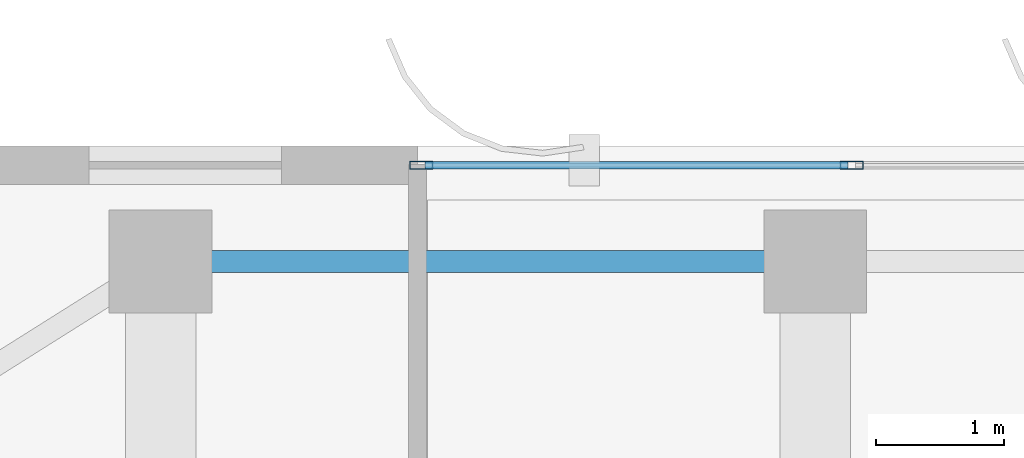
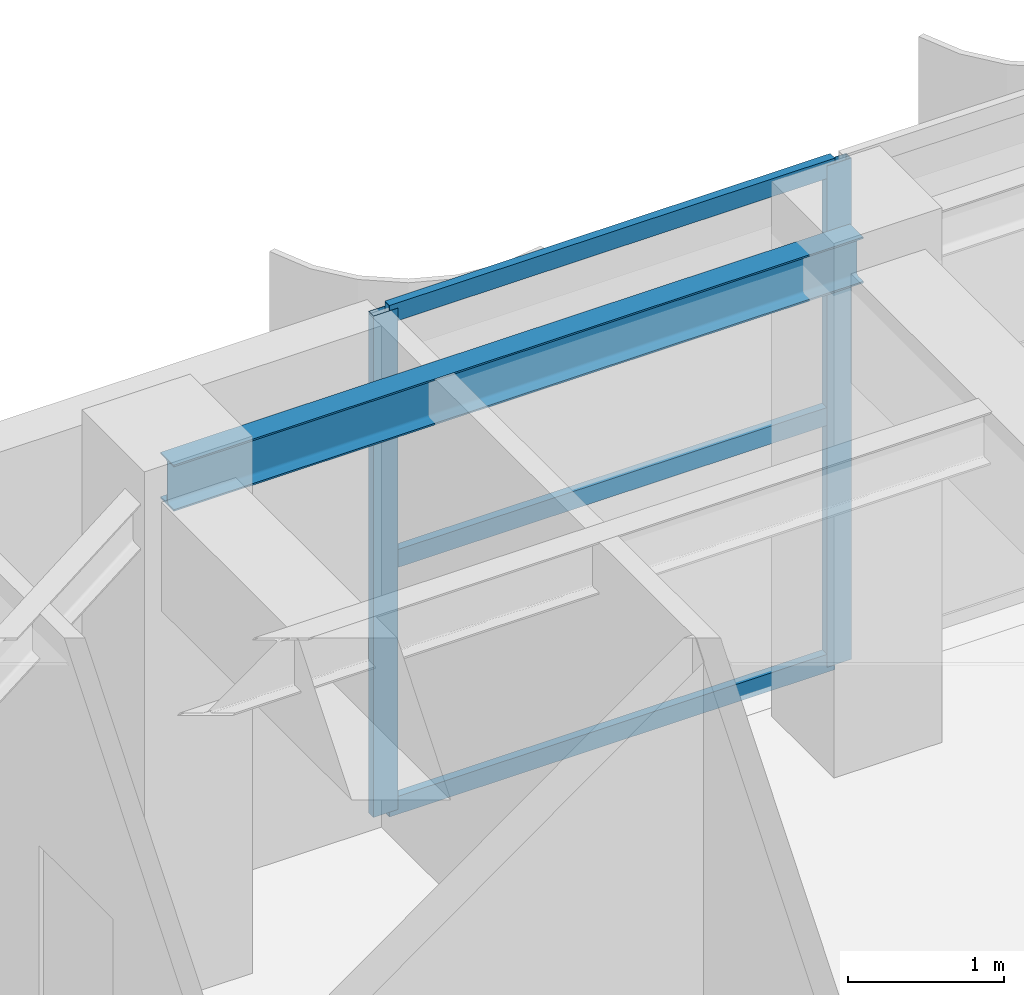
# One storey, part 9 of 19: 5 members, 1 beam, 1 element without a shape of its own.
"""IFC4 building model written with IfcOpenShell, lengths in metres."""

from ifc_helpers import new_model, si_unit, direction, frame, origin, origin_2d, place, context, subcontext, project, spatial, hollow_rectangle, i_section, extrude, source, transform, mapped, material, layer, layer_set, material_profile, profile_set, type_object, element, aggregate, save


model = new_model("IFC4")

# Units and contexts
model_context = context("Model", 3, precision=1e-05, world=origin(), true_north=direction((0.0, 1.0)))
body_context = subcontext(model_context, "Body", "Model", "MODEL_VIEW")
ifc_project = project(units=[si_unit("LENGTHUNIT", "METRE"), si_unit("AREAUNIT", "SQUARE_METRE"), si_unit("VOLUMEUNIT", "CUBIC_METRE"), si_unit("PLANEANGLEUNIT", "RADIAN"), si_unit("MASSUNIT", "GRAM", prefix="KILO")], contexts=[model_context])

# Site, building, storey
site_placement = place(None, origin())
site = spatial("IfcSite", under=ifc_project, at=site_placement, CompositionType="ELEMENT")
building_placement = place(site_placement, origin())
building = spatial("IfcBuilding", under=site, at=building_placement, Name="Khoralis Quay Care Tower", CompositionType="ELEMENT")
storey_placement = place(building_placement, frame((0.0, 0.0, 285.300048828125)))
storey = spatial("IfcBuildingStorey", under=building, at=storey_placement, Name="L75", CompositionType="ELEMENT", Elevation=285.300048828125)

# Beam
ifc_material_1 = material(Name="Steel S355", Category="steel")
ifc_material_profile_1 = material_profile(ifc_material_1, i_section(OverallWidth=0.169921875, OverallDepth=0.360107421875, WebThickness=0.008056640625, FlangeThickness=0.0126953125, FilletRadius=0.01806640625, at=origin_2d()), Name="Steel S355")
ifc_profile_set_1 = profile_set([ifc_material_profile_1], Name="Steel S355")
beam_type = type_object("IfcBeamType", Name="BM-IPE360", PredefinedType="SPANDREL", material=ifc_profile_set_1)
shared_shape_1 = source(origin(), body_context, "Body", "SweptSolid", [
    extrude(i_section(OverallWidth=0.169921875, OverallDepth=0.360107421875, WebThickness=0.008056640625, FlangeThickness=0.0126953125, FilletRadius=0.01806640625, at=origin_2d()), origin(), (0.0, 0.0, 1.0), 5.10009765625),
])
beam_placement = place(storey_placement, frame((12.0, 41.10009765625, 3.739990234375), z_axis=(1.0, 0.0, 0.0), x_axis=(0.0, 1.0, 0.0)))
element("IfcBeam", 1, at=beam_placement, inside=storey, type_object=beam_type, Name="BM-TSP-L75-05", PredefinedType="SPANDREL", context=body_context, shape_type="MappedRepresentation", body=[
    mapped(shared_shape_1, transform((0.0, 0.0, 0.0), scale=1.0)),
])

# Curtain wall, members
ifc_material_2 = material(Name="Pale anodised aluminium", Category="aluminium")
ifc_layer = layer(ifc_material_2, 0.159912109375)
ifc_layer_set = layer_set([ifc_layer], Name="Pale anodised aluminium")
curtain_wall_type = type_object("IfcCurtainWallType", Name="CW-SYS-Z3", PredefinedType="NOTDEFINED", material=ifc_layer_set)
curtain_wall_placement = place(storey_placement, origin())
curtain_wall = element("IfcCurtainWall", 2, at=curtain_wall_placement, inside=storey, type_object=curtain_wall_type, Name="L75 Unitised Curtain Wall CW-L75-P1-E10", PredefinedType="NOTDEFINED")
ifc_material_profile_2 = material_profile(ifc_material_2, hollow_rectangle(XDim=0.06494140625, YDim=0.179931640625, WallThickness=0.00390625, at=origin_2d()), Name="Pale anodised aluminium")
ifc_profile_set_2 = profile_set([ifc_material_profile_2], Name="Pale anodised aluminium")
member_type_1 = type_object("IfcMemberType", Name="CW-MUL-180", PredefinedType="MULLION", material=ifc_profile_set_2)
shared_shape_2 = source(origin(), body_context, "Body", "SweptSolid", [
    extrude(hollow_rectangle(XDim=0.06494140625, YDim=0.179931640625, WallThickness=0.00390625, at=origin_2d()), origin(), (0.0, 0.0, 1.0), 3.919921875),
])
member_1_placement = place(storey_placement, frame((17.385009765625, 41.85009765625, 0.0), z_axis=(0.0, 0.0, 1.0), x_axis=(0.0, -1.0, 0.0)))
member_1 = element("IfcMember", 3, at=member_1_placement, type_object=member_type_1, Name="CW3 mullion 4", PredefinedType="MULLION", context=body_context, shape_type="MappedRepresentation", body=[
    mapped(shared_shape_2, transform((0.0, 0.0, 0.0), scale=1.0)),
])
member_2_placement = place(storey_placement, frame((14.030029296875, 41.85009765625, 0.0), z_axis=(0.0, 0.0, 1.0), x_axis=(0.0, -1.0, 0.0)))
member_2 = element("IfcMember", 4, at=member_2_placement, type_object=member_type_1, Name="CW3 mullion 5", PredefinedType="MULLION", context=body_context, shape_type="MappedRepresentation", body=[
    mapped(shared_shape_2, transform((0.0, 0.0, 0.0), scale=1.0)),
])
ifc_material_profile_3 = material_profile(ifc_material_2, hollow_rectangle(XDim=0.06005859375, YDim=0.139892578125, WallThickness=0.00390625, at=origin_2d()), Name="Pale anodised aluminium")
ifc_profile_set_3 = profile_set([ifc_material_profile_3], Name="Pale anodised aluminium")
member_type_2 = type_object("IfcMemberType", Name="CW-TRN-140", PredefinedType="USERDEFINED", material=ifc_profile_set_3)
shared_shape_3 = source(origin(), body_context, "Body", "SweptSolid", [
    extrude(hollow_rectangle(XDim=0.06005859375, YDim=0.139892578125, WallThickness=0.00390625, at=origin_2d()), origin(), (0.0, 0.0, 1.0), 3.294921875),
])
member_3_placement = place(storey_placement, frame((17.35498046875, 41.85009765625, 0.030029296875), z_axis=(-1.0, 0.0, 0.0), x_axis=(0.0, -1.0, 0.0)))
member_3 = element("IfcMember", 5, at=member_3_placement, type_object=member_type_2, Name="CW3 transom 4.1", ObjectType="TRANSOM", PredefinedType="USERDEFINED", context=body_context, shape_type="MappedRepresentation", body=[
    mapped(shared_shape_3, transform((0.0, 0.0, 0.0), scale=1.0)),
])
member_4_placement = place(storey_placement, frame((17.35498046875, 41.85009765625, 1.9599609375), z_axis=(-1.0, 0.0, 0.0), x_axis=(0.0, -1.0, 0.0)))
member_4 = element("IfcMember", 6, at=member_4_placement, type_object=member_type_2, Name="CW3 transom 4.2", ObjectType="TRANSOM", PredefinedType="USERDEFINED", context=body_context, shape_type="MappedRepresentation", body=[
    mapped(shared_shape_3, transform((0.0, 0.0, 0.0), scale=1.0)),
])
member_5_placement = place(storey_placement, frame((17.35498046875, 41.85009765625, 3.889892578125), z_axis=(-1.0, 0.0, 0.0), x_axis=(0.0, -1.0, 0.0)))
member_5 = element("IfcMember", 7, at=member_5_placement, type_object=member_type_2, Name="CW3 transom 4.3", ObjectType="TRANSOM", PredefinedType="USERDEFINED", context=body_context, shape_type="MappedRepresentation", body=[
    mapped(shared_shape_3, transform((0.0, 0.0, 0.0), scale=1.0)),
])
aggregate(curtain_wall, [member_1, member_2, member_3, member_4, member_5])

save(model, "model.ifc")
